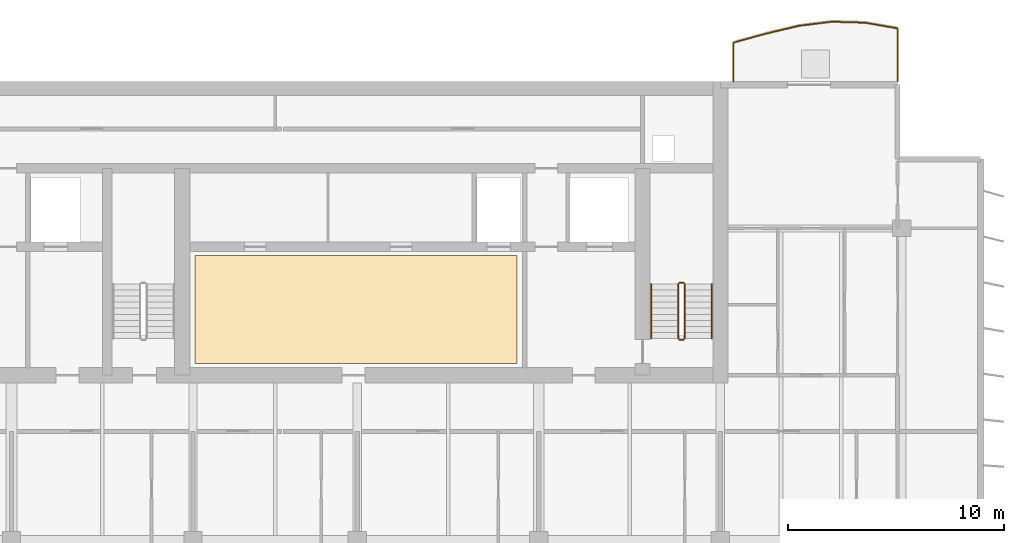
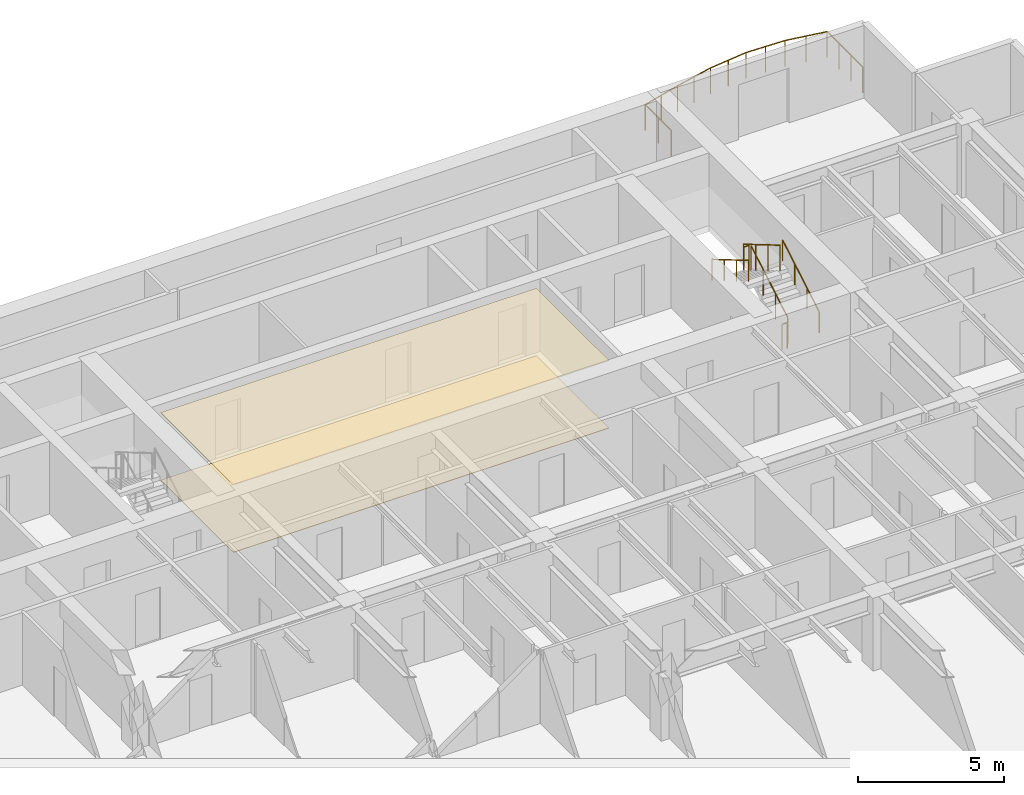
# One storey, part 18 of 19: 7 railings, 2 coverings.
"""IFC4 building model written with IfcOpenShell, lengths in metres."""

from ifc_helpers import new_model, si_unit, direction, frame, origin, origin_2d, place, context, subcontext, project, spatial, polyline, circle, outline, extrude, material, layer, layer_set, type_object, element, save


model = new_model("IFC4")

# Units and contexts
model_context = context("Model", 3, precision=1e-05, world=origin(), true_north=direction((0.0, 1.0)))
body_context = subcontext(model_context, "Body", "Model", "MODEL_VIEW")
ifc_project = project(units=[si_unit("LENGTHUNIT", "METRE"), si_unit("AREAUNIT", "SQUARE_METRE"), si_unit("VOLUMEUNIT", "CUBIC_METRE"), si_unit("PLANEANGLEUNIT", "RADIAN"), si_unit("MASSUNIT", "GRAM", prefix="KILO")], contexts=[model_context])

# Site, building, storey
site_placement = place(None, origin())
site = spatial("IfcSite", under=ifc_project, at=site_placement, CompositionType="ELEMENT")
building_placement = place(site_placement, origin())
building = spatial("IfcBuilding", under=site, at=building_placement, Name="Caelmar Bay Residences", CompositionType="ELEMENT")
storey_placement = place(building_placement, frame((0.0, 0.0, 214.800048828125)))
storey = spatial("IfcBuildingStorey", under=building, at=storey_placement, Name="L60", CompositionType="ELEMENT", Elevation=214.800048828125)

# Coverings
ifc_material_1 = material(Name="Perforated acoustic gypsum-mineral ceiling tile 20 mm")
ifc_layer_1 = layer(ifc_material_1, 0.02001953125)
ifc_layer_set_1 = layer_set([ifc_layer_1], Name="Perforated acoustic gypsum-mineral ceiling tile 20 mm")
covering_type_1 = type_object("IfcCoveringType", Name="COV-CEIL-20", PredefinedType="CEILING", material=ifc_layer_set_1)
covering_1_placement = place(storey_placement, frame((0.0, 0.0, 2.829833984375)))
element("IfcCovering", 1, at=covering_1_placement, inside=storey, type_object=covering_type_1, Name="L60 Lift Lobby Acoustic Ceiling", PredefinedType="CEILING", context=body_context, shape_type="SweptSolid", body=[
    extrude(outline(polyline([(35.199951171875, 37.550048828125), (50.10009765625, 37.550048828125), (50.10009765625, 42.550048828125), (35.199951171875, 42.550048828125), (35.199951171875, 37.550048828125)])), origin(), (0.0, 0.0, 1.0), 0.02001953125),
])
ifc_material_2 = material(Name="Honed terrazzo and engineered white-oak flooring 20 mm")
ifc_layer_2 = layer(ifc_material_2, 0.02001953125)
ifc_layer_set_2 = layer_set([ifc_layer_2], Name="Honed terrazzo and engineered white-oak flooring 20 mm")
covering_type_2 = type_object("IfcCoveringType", Name="COV-FLR-20", PredefinedType="FLOORING", material=ifc_layer_set_2)
covering_2_placement = place(storey_placement, origin())
element("IfcCovering", 2, at=covering_2_placement, inside=storey, type_object=covering_type_2, Name="L60 Lift Lobby Terrazzo Flooring", PredefinedType="FLOORING", context=body_context, shape_type="SweptSolid", body=[
    extrude(outline(polyline([(35.199951171875, 37.550048828125), (50.10009765625, 37.550048828125), (50.10009765625, 42.550048828125), (35.199951171875, 42.550048828125), (35.199951171875, 37.550048828125)])), origin(), (0.0, 0.0, 1.0), 0.02001953125),
])

# Railings
ifc_material_3 = material(Name="Anodised bronze handrail with laminated hurricane glass infill", Category="glass")
railing_type_1 = type_object("IfcRailingType", Name="RL-BAL-1100", PredefinedType="BALUSTRADE", material=ifc_material_3)
railing_1_placement = place(storey_placement, frame((67.699951171875, 50.60009765625, 0.0)))
element("IfcRailing", 3, at=railing_1_placement, inside=storey, type_object=railing_type_1, Name="L60 north_east Balcony Balustrade", PredefinedType="BALUSTRADE", context=body_context, shape_type="SweptSolid", body=[
    extrude(circle(Radius=0.02392578125, at=origin_2d()), frame((0.0, 0.0, 1.076171875), z_axis=(0.0, 1.0, 0.0), x_axis=(-1.0, 0.0, 0.0)), (0.0, 0.0, 1.0), 2.45166015625),
    extrude(circle(Radius=0.02392578125, at=origin_2d()), frame((0.0, 2.45166015625, 1.076171875), z_axis=(-0.985445490472, 0.169991721293, 0.0), x_axis=(-0.169991721293, -0.985445490472, 0.0)), (0.0, 0.0, 1.0), 1.54248046875),
    extrude(circle(Radius=0.02392578125, at=origin_2d()), frame((-1.52001953125, 2.7138671875, 1.076171875), z_axis=(-0.999582338318, 0.028898943286, 0.0), x_axis=(-0.028898943286, -0.999582338318, 0.0)), (0.0, 0.0, 1.0), 1.520751953125),
    extrude(circle(Radius=0.02392578125, at=origin_2d()), frame((-3.0400390625, 2.7578125, 1.076171875), z_axis=(-0.992438886558, -0.122739791624, 0.0), x_axis=(0.122739791624, -0.992438886558, 0.0)), (0.0, 0.0, 1.0), 1.531494140625),
    extrude(circle(Radius=0.02392578125, at=origin_2d()), frame((-4.56005859375, 2.56982421875, 1.076171875), z_axis=(-0.972881623136, -0.231303582689, 0.0), x_axis=(0.231303582689, -0.972881623136, 0.0)), (0.0, 0.0, 1.0), 1.562255859375),
    extrude(circle(Radius=0.02392578125, at=origin_2d()), frame((-6.079833984375, 2.20849609375, 1.076171875), z_axis=(-0.96381450531, -0.266573815956, 0.0), x_axis=(0.266573815956, -0.96381450531, 0.0)), (0.0, 0.0, 1.0), 1.5771484375),
    extrude(circle(Radius=0.02392578125, at=origin_2d()), frame((-7.599853515625, 1.7880859375, 1.076171875), z_axis=(0.0, -1.0, 0.0), x_axis=(1.0, 0.0, 0.0)), (0.0, 0.0, 1.0), 1.7880859375),
    extrude(circle(Radius=0.02099609375, at=origin_2d()), origin(), (0.0, 0.0, 1.0), 1.052001953125),
    extrude(circle(Radius=0.02099609375, at=origin_2d()), frame((0.0, 0.817138671875, 0.0)), (0.0, 0.0, 1.0), 1.052001953125),
    extrude(circle(Radius=0.02099609375, at=origin_2d()), frame((0.0, 1.634521484375, 0.0)), (0.0, 0.0, 1.0), 1.052001953125),
    extrude(circle(Radius=0.02099609375, at=origin_2d()), frame((0.0, 2.45166015625, 0.0)), (0.0, 0.0, 1.0), 1.052001953125),
    extrude(circle(Radius=0.02099609375, at=origin_2d()), frame((-0.760009765625, 2.582763671875, 0.0)), (0.0, 0.0, 1.0), 1.052001953125),
    extrude(circle(Radius=0.02099609375, at=origin_2d()), frame((-1.52001953125, 2.7138671875, 0.0)), (0.0, 0.0, 1.0), 1.052001953125),
    extrude(circle(Radius=0.02099609375, at=origin_2d()), frame((-2.280029296875, 2.73583984375, 0.0)), (0.0, 0.0, 1.0), 1.052001953125),
    extrude(circle(Radius=0.02099609375, at=origin_2d()), frame((-3.0400390625, 2.7578125, 0.0)), (0.0, 0.0, 1.0), 1.052001953125),
    extrude(circle(Radius=0.02099609375, at=origin_2d()), frame((-3.800048828125, 2.663818359375, 0.0)), (0.0, 0.0, 1.0), 1.052001953125),
    extrude(circle(Radius=0.02099609375, at=origin_2d()), frame((-4.56005859375, 2.56982421875, 0.0)), (0.0, 0.0, 1.0), 1.052001953125),
    extrude(circle(Radius=0.02099609375, at=origin_2d()), frame((-5.31982421875, 2.38916015625, 0.0)), (0.0, 0.0, 1.0), 1.052001953125),
    extrude(circle(Radius=0.02099609375, at=origin_2d()), frame((-6.079833984375, 2.20849609375, 0.0)), (0.0, 0.0, 1.0), 1.052001953125),
    extrude(circle(Radius=0.02099609375, at=origin_2d()), frame((-6.83984375, 1.998291015625, 0.0)), (0.0, 0.0, 1.0), 1.052001953125),
    extrude(circle(Radius=0.02099609375, at=origin_2d()), frame((-7.599853515625, 1.7880859375, 0.0)), (0.0, 0.0, 1.0), 1.052001953125),
    extrude(circle(Radius=0.02099609375, at=origin_2d()), frame((-7.599853515625, 0.89404296875, 0.0)), (0.0, 0.0, 1.0), 1.052001953125),
    extrude(circle(Radius=0.02099609375, at=origin_2d()), frame((-7.599853515625, 0.0, 0.0)), (0.0, 0.0, 1.0), 1.052001953125),
])
ifc_material_4 = material(Name="Painted galvanized steel stair guard 1100 mm", Category="steel")
railing_type_2 = type_object("IfcRailingType", Name="RL-GRD-1100", PredefinedType="GUARDRAIL", material=ifc_material_4)
railing_2_placement = place(storey_placement, frame((57.85009765625, 38.699951171875, 0.1650390625)))
element("IfcRailing", 4, at=railing_2_placement, inside=storey, type_object=railing_type_2, Name="L60 ST2 stair guard 1", PredefinedType="GUARDRAIL", context=body_context, shape_type="SweptSolid", body=[
    extrude(circle(Radius=0.02392578125, at=origin_2d()), frame((0.0, 0.0, 1.076171875), z_axis=(0.0, 0.861560626758, 0.507654692109), x_axis=(-1.0, 0.0, 0.0)), (0.0, 0.0, 1.0), 2.925048828125),
    extrude(circle(Radius=0.02099609375, at=origin_2d()), origin(), (0.0, 0.0, 1.0), 1.052001953125),
    extrude(circle(Radius=0.02099609375, at=origin_2d()), frame((0.0, 0.840087890625, 0.494873046875)), (0.0, 0.0, 1.0), 1.052001953125),
    extrude(circle(Radius=0.02099609375, at=origin_2d()), frame((0.0, 1.679931640625, 0.989990234375)), (0.0, 0.0, 1.0), 1.052001953125),
    extrude(circle(Radius=0.02099609375, at=origin_2d()), frame((0.0, 2.52001953125, 1.48486328125)), (0.0, 0.0, 1.0), 1.052001953125),
])
railing_3_placement = place(storey_placement, frame((57.800048828125, 41.27001953125, 1.64990234375)))
element("IfcRailing", 5, at=railing_3_placement, inside=storey, type_object=railing_type_2, Name="L60 ST2 stair guard 2", PredefinedType="GUARDRAIL", context=body_context, shape_type="SweptSolid", body=[
    extrude(circle(Radius=0.02392578125, at=origin_2d()), frame((0.0, 0.0, 1.076171875), z_axis=(-1.0, 0.0, 0.0), x_axis=(0.0, -1.0, 0.0)), (0.0, 0.0, 1.0), 0.199951171875),
    extrude(circle(Radius=0.02099609375, at=origin_2d()), origin(), (0.0, 0.0, 1.0), 1.052001953125),
    extrude(circle(Radius=0.02099609375, at=origin_2d()), frame((-0.199951171875, 0.0, 0.0)), (0.0, 0.0, 1.0), 1.052001953125),
])
railing_4_placement = place(storey_placement, frame((57.550048828125, 41.219970703125, 1.81494140625)))
element("IfcRailing", 6, at=railing_4_placement, inside=storey, type_object=railing_type_2, Name="L60 ST2 stair guard 3", PredefinedType="GUARDRAIL", context=body_context, shape_type="SweptSolid", body=[
    extrude(circle(Radius=0.02392578125, at=origin_2d()), frame((0.0, 0.0, 1.076171875), z_axis=(0.0, -0.86152411907, 0.507716645641), x_axis=(1.0, 0.0, 0.0)), (0.0, 0.0, 1.0), 2.925048828125),
    extrude(circle(Radius=0.02099609375, at=origin_2d()), origin(), (0.0, 0.0, 1.0), 1.052001953125),
    extrude(circle(Radius=0.02099609375, at=origin_2d()), frame((0.0, -0.840087890625, 0.4951171875)), (0.0, 0.0, 1.0), 1.052001953125),
    extrude(circle(Radius=0.02099609375, at=origin_2d()), frame((0.0, -1.679931640625, 0.989990234375)), (0.0, 0.0, 1.0), 1.052001953125),
    extrude(circle(Radius=0.02099609375, at=origin_2d()), frame((0.0, -2.52001953125, 1.485107421875)), (0.0, 0.0, 1.0), 1.052001953125),
])
railing_5_placement = place(storey_placement, frame((57.800048828125, 38.64990234375, 0.0)))
element("IfcRailing", 7, at=railing_5_placement, inside=storey, type_object=railing_type_2, Name="L60 ST2 stair guard 4", PredefinedType="GUARDRAIL", context=body_context, shape_type="SweptSolid", body=[
    extrude(circle(Radius=0.02392578125, at=origin_2d()), frame((0.0, 0.0, 1.076171875), z_axis=(-1.0, 0.0, 0.0), x_axis=(0.0, -1.0, 0.0)), (0.0, 0.0, 1.0), 0.199951171875),
    extrude(circle(Radius=0.02099609375, at=origin_2d()), origin(), (0.0, 0.0, 1.0), 1.052001953125),
    extrude(circle(Radius=0.02099609375, at=origin_2d()), frame((-0.199951171875, 0.0, 0.0)), (0.0, 0.0, 1.0), 1.052001953125),
])
ifc_material_5 = material(Name="Brushed bronze stainless-steel tubular handrail 900 mm", Category="steel")
railing_type_3 = type_object("IfcRailingType", Name="RL-HND-900", PredefinedType="HANDRAIL", material=ifc_material_5)
railing_6_placement = place(storey_placement, frame((59.10009765625, 38.699951171875, 0.1650390625)))
element("IfcRailing", 8, at=railing_6_placement, inside=storey, type_object=railing_type_3, Name="L60 ST2 stair handrail 1", PredefinedType="HANDRAIL", context=body_context, shape_type="SweptSolid", body=[
    extrude(circle(Radius=0.02392578125, at=origin_2d()), frame((0.0, 0.0, 0.8759765625), z_axis=(0.0, 0.861560626758, 0.507654692109), x_axis=(-1.0, 0.0, 0.0)), (0.0, 0.0, 1.0), 2.925048828125),
    extrude(circle(Radius=0.02099609375, at=origin_2d()), origin(), (0.0, 0.0, 1.0), 0.851806640625),
    extrude(circle(Radius=0.02099609375, at=origin_2d()), frame((0.0, 0.840087890625, 0.494873046875)), (0.0, 0.0, 1.0), 0.851806640625),
    extrude(circle(Radius=0.02099609375, at=origin_2d()), frame((0.0, 1.679931640625, 0.989990234375)), (0.0, 0.0, 1.0), 0.851806640625),
    extrude(circle(Radius=0.02099609375, at=origin_2d()), frame((0.0, 2.52001953125, 1.48486328125)), (0.0, 0.0, 1.0), 0.851806640625),
])
railing_7_placement = place(storey_placement, frame((56.300048828125, 41.219970703125, 1.81494140625)))
element("IfcRailing", 9, at=railing_7_placement, inside=storey, type_object=railing_type_3, Name="L60 ST2 stair handrail 2", PredefinedType="HANDRAIL", context=body_context, shape_type="SweptSolid", body=[
    extrude(circle(Radius=0.02392578125, at=origin_2d()), frame((0.0, 0.0, 0.8759765625), z_axis=(0.0, -0.86152411907, 0.507716645641), x_axis=(1.0, 0.0, 0.0)), (0.0, 0.0, 1.0), 2.925048828125),
    extrude(circle(Radius=0.02099609375, at=origin_2d()), origin(), (0.0, 0.0, 1.0), 0.851806640625),
    extrude(circle(Radius=0.02099609375, at=origin_2d()), frame((0.0, -0.840087890625, 0.4951171875)), (0.0, 0.0, 1.0), 0.851806640625),
    extrude(circle(Radius=0.02099609375, at=origin_2d()), frame((0.0, -1.679931640625, 0.989990234375)), (0.0, 0.0, 1.0), 0.851806640625),
    extrude(circle(Radius=0.02099609375, at=origin_2d()), frame((0.0, -2.52001953125, 1.485107421875)), (0.0, 0.0, 1.0), 0.851806640625),
])

save(model, "model.ifc")
